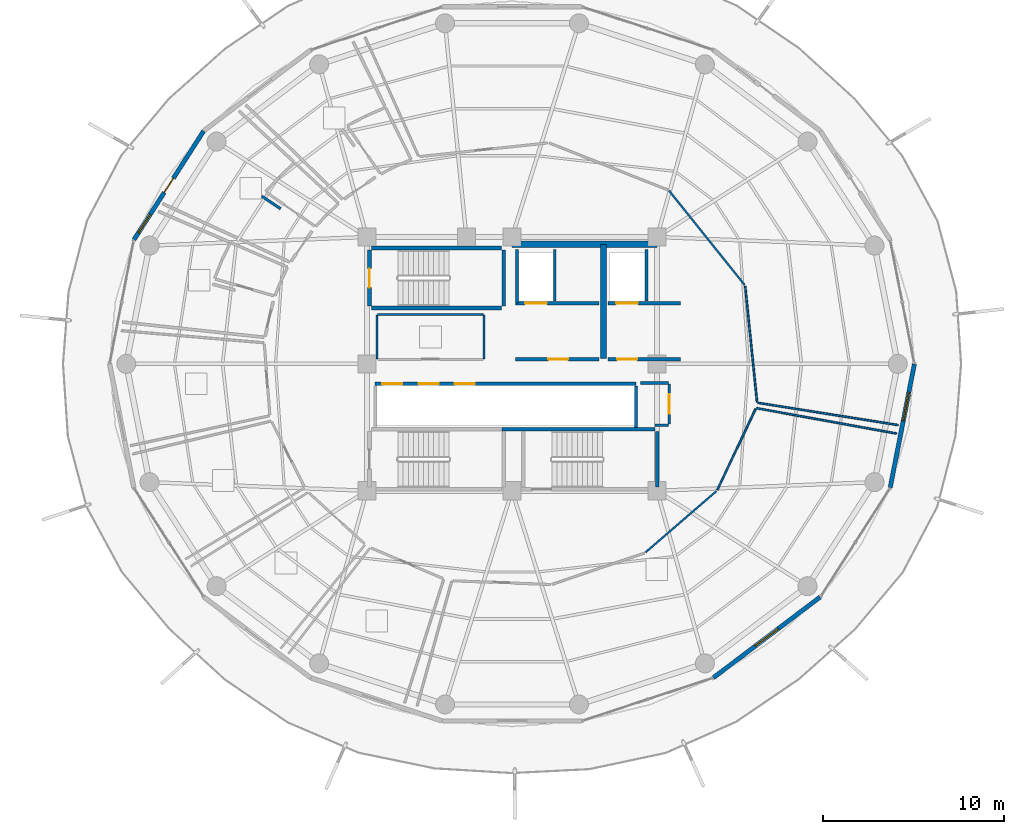
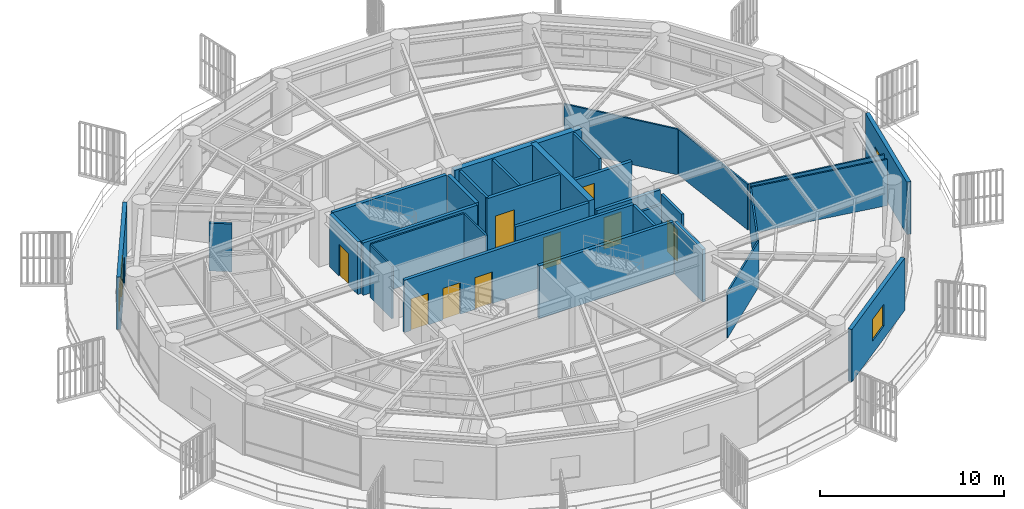
# One storey, part 25 of 31: 33 walls, 10 doors, 3 windows, 13 openings.
"""IFC4 building model written with IfcOpenShell, lengths in metres."""

from ifc_helpers import new_model, si_unit, direction, frame, frame_2d, origin, place, context, subcontext, project, spatial, rectangle, extrude, material, layer, layer_set, type_object, element, fill, save


model = new_model("IFC4")

# Units and contexts
model_context = context("Model", 3, precision=1e-05, world=origin(), true_north=direction((0.0, 1.0)))
body_context = subcontext(model_context, "Body", "Model", "MODEL_VIEW")
ifc_project = project(units=[si_unit("LENGTHUNIT", "METRE"), si_unit("AREAUNIT", "SQUARE_METRE"), si_unit("VOLUMEUNIT", "CUBIC_METRE"), si_unit("PLANEANGLEUNIT", "RADIAN"), si_unit("MASSUNIT", "GRAM", prefix="KILO")], contexts=[model_context])

# Site, building, storey
site_placement = place(None, origin())
site = spatial("IfcSite", under=ifc_project, at=site_placement, CompositionType="ELEMENT")
building_placement = place(site_placement, origin())
building = spatial("IfcBuilding", under=site, at=building_placement, Name="Kelanora Arch Commons", CompositionType="ELEMENT")
storey_placement = place(building_placement, frame((0.0, 0.0, 219.449951171875)))
storey = spatial("IfcBuildingStorey", under=building, at=storey_placement, Name="L56", CompositionType="ELEMENT", Elevation=219.449951171875)

# Walls
ifc_material_1 = material(Name="Autoclaved aerated concrete blockwork with fire plaster", Category="masonry")
ifc_layer_1 = layer(ifc_material_1, 0.14990234375)
ifc_layer_set_1 = layer_set([ifc_layer_1], Name="Autoclaved aerated concrete blockwork with fire plaster")
wall_type_1 = type_object("IfcWallType", Name="W-COMP-150", PredefinedType="PARTITIONING", material=ifc_layer_set_1)
wall_1_placement = place(storey_placement, frame((74.280029296875, 61.35009765625, 0.0), z_axis=(0.0, 0.0, 1.0), x_axis=(0.0, 1.0, 0.0)))
element("IfcWall", 1, at=wall_1_placement, inside=storey, type_object=wall_type_1, Name="Firefighting Lift 1 West Shaft Wall L56", PredefinedType="PARTITIONING", context=body_context, shape_type="SweptSolid", body=[
    extrude(rectangle(XDim=2.969970703125, YDim=0.14990234375, at=frame_2d((1.48486328125, 0.0))), origin(), (0.0, 0.0, 1.0), 3.47998046875),
])
for number, where, z_axis, x_axis, name in (
    (2, (76.360107421875, 61.47998046875, 0.0), (0.0, 0.0, 1.0), (0.0, 1.0, 0.0), "Firefighting Lift 1 East Shaft Wall L56"),
    (3, (81.419921875, 61.47998046875, 0.0), (0.0, 0.0, 1.0), (0.0, 1.0, 0.0), "Firefighting Lift 2 East Shaft Wall L56"),
):
    element("IfcWall", number, at=place(storey_placement, frame(where, z_axis=z_axis, x_axis=x_axis)), inside=storey, type_object=wall_type_1, Name=name, PredefinedType="PARTITIONING", context=body_context, shape_type="SweptSolid", body=[
        extrude(rectangle(XDim=2.840087890625, YDim=0.14990234375, at=frame_2d((1.419921875, 0.0))), origin(), (0.0, 0.0, 1.0), 3.47998046875),
    ])
wall_2_placement = place(storey_placement, frame((80.840087890625, 54.47998046875, 0.0), z_axis=(0.0, 0.0, 1.0), x_axis=(0.0, 1.0, 0.0)))
element("IfcWall", 4, at=wall_2_placement, inside=storey, type_object=wall_type_1, Name="South Lift Bank East Wall L56", PredefinedType="PARTITIONING", context=body_context, shape_type="SweptSolid", body=[
    extrude(rectangle(XDim=2.2900390625, YDim=0.14990234375, at=frame_2d((1.14501953125, 0.0))), origin(), (0.0, 0.0, 1.0), 3.47998046875),
])

# Wall, opening, door
wall_3_placement = place(storey_placement, frame((82.679931640625, 54.679931640625, 0.0), z_axis=(0.0, 0.0, 1.0), x_axis=(0.0, 1.0, 0.0)))
wall_3 = element("IfcWall", 5, at=wall_3_placement, inside=storey, type_object=wall_type_1, Name="Core Housekeeping Store L56 Entry Partition", PredefinedType="PARTITIONING", context=body_context, shape_type="SweptSolid", body=[
    extrude(rectangle(XDim=2.2099609375, YDim=0.14990234375, at=frame_2d((1.10498046875, 0.0))), origin(), (0.0, 0.0, 1.0), 3.47998046875),
])
opening_1_placement = place(wall_3_placement, frame((0.56494140625, 0.0, 0.0)))
opening_1 = element("IfcOpeningElement", 6, at=opening_1_placement, cuts=wall_3, Name="Opening D-PLT1", PredefinedType="OPENING", context=body_context, shape_type="SweptSolid", body=[
    extrude(rectangle(XDim=1.080078125, YDim=2.10009765625, at=frame_2d((0.5400390625, 1.050048828125))), frame((0.0, 0.0849609375, 0.0), z_axis=(0.0, -1.0, 0.0), x_axis=(1.0, 0.0, 0.0)), (0.0, 0.0, 1.0), 0.169921875),
])
ifc_material_2 = material(Name="Galvanised steel plant and riser fire door", Category="steel")
door_type_1 = type_object("IfcDoorType", Name="D-PLT-110", OperationType="NOTDEFINED", PredefinedType="DOOR", material=ifc_material_2)
door_1_placement = place(opening_1_placement, origin())
door_1 = element("IfcDoor", 7, at=door_1_placement, inside=storey, type_object=door_type_1, Name="Core Housekeeping Store L56 Door", OperationType="SINGLE_SWING_RIGHT", OverallHeight=2.10009765625, OverallWidth=1.080078125, PredefinedType="DOOR", context=body_context, shape_type="SweptSolid", body=[
    extrude(rectangle(XDim=1.080078125, YDim=2.10009765625, at=frame_2d((0.5400390625, 1.050048828125))), frame((0.0, 0.02490234375, 0.0), z_axis=(0.0, -1.0, 0.0), x_axis=(1.0, 0.0, 0.0)), (0.0, 0.0, 1.0), 0.050048828125),
])
fill(opening_1, door_1)

# Walls
wall_4_placement = place(storey_placement, frame((81.89990234375, 54.6201171875, 0.0), z_axis=(0.0, 0.0, 1.0), x_axis=(1.0, 0.0, 0.0)))
element("IfcWall", 8, at=wall_4_placement, inside=storey, type_object=wall_type_1, Name="Core Housekeeping Store L56 Enclosure Partition 1", PredefinedType="PARTITIONING", context=body_context, shape_type="SweptSolid", body=[
    extrude(rectangle(XDim=0.739990234375, YDim=0.14990234375, at=frame_2d((0.3701171875, 0.0))), origin(), (0.0, 0.0, 1.0), 2.775146484375),
])
wall_5_placement = place(storey_placement, frame((82.639892578125, 56.949951171875, 0.0), z_axis=(0.0, 0.0, 1.0), x_axis=(-1.0, 0.0, 0.0)))
element("IfcWall", 9, at=wall_5_placement, inside=storey, type_object=wall_type_1, Name="Core Housekeeping Store L56 Enclosure Partition 3", PredefinedType="PARTITIONING", context=body_context, shape_type="SweptSolid", body=[
    extrude(rectangle(XDim=1.5498046875, YDim=0.14990234375, at=frame_2d((0.77490234375, 0.0))), origin(), (0.0, 0.0, 1.0), 2.775146484375),
])
wall_6_placement = place(storey_placement, frame((60.1953125, 67.255615234375, 0.0), z_axis=(0.0, 0.0, 1.0), x_axis=(0.830279043522, -0.557347925347, 0.0)))
element("IfcWall", 10, at=wall_6_placement, inside=storey, type_object=wall_type_1, Name="Cluster Bedroom L56-02 Enclosure Partition 7", PredefinedType="PARTITIONING", context=body_context, shape_type="SweptSolid", body=[
    extrude(rectangle(XDim=1.254150390625, YDim=0.14990234375, at=frame_2d((0.626953125, 0.0))), origin(), (0.0, 0.0, 1.0), 3.175048828125),
])
ifc_material_3 = material(Name="Concrete C50/60", Category="concrete")
ifc_layer_2 = layer(ifc_material_3, 0.35009765625)
ifc_layer_set_2 = layer_set([ifc_layer_2], Name="Concrete C50/60")
wall_type_2 = type_object("IfcWallType", Name="W-CORE-350", PredefinedType="SHEAR", material=ifc_layer_set_2)
wall_7_placement = place(storey_placement, frame((74.0, 64.60009765625, 0.0), z_axis=(0.0, 0.0, 1.0), x_axis=(1.0, 0.0, 0.0)))
element("IfcWall", 11, at=wall_7_placement, inside=storey, type_object=wall_type_2, Name="Core Shear Spine L56-CN-E", PredefinedType="SHEAR", context=body_context, shape_type="SweptSolid", body=[
    extrude(rectangle(XDim=8.0, YDim=0.35009765625, at=frame_2d((4.0, 0.0))), origin(), (0.0, 0.0, 1.0), 3.489990234375),
])
wall_8_placement = place(storey_placement, frame((79.050048828125, 58.300048828125, 0.0), z_axis=(0.0, 0.0, 1.0), x_axis=(0.0, 1.0, 0.0)))
element("IfcWall", 12, at=wall_8_placement, inside=storey, type_object=wall_type_2, Name="Core Shear Spine L56-CE-N", PredefinedType="SHEAR", context=body_context, shape_type="SweptSolid", body=[
    extrude(rectangle(XDim=6.300048828125, YDim=0.35009765625, at=frame_2d((3.14990234375, 0.0))), origin(), (0.0, 0.0, 1.0), 3.489990234375),
])

# Wall, openings, door, window
ifc_material_4 = material(Name="Precast concrete C40/50 upper-zone terracotta rainscreen", Category="masonry")
ifc_layer_3 = layer(ifc_material_4, 0.239990234375)
ifc_layer_set_3 = layer_set([ifc_layer_3], Name="Precast concrete C40/50 upper-zone terracotta rainscreen")
wall_type_3 = type_object("IfcWallType", Name="W-EXT-TC2", PredefinedType="SOLIDWALL", material=ifc_layer_set_3)
wall_9_placement = place(storey_placement, frame((56.985595703125, 70.84326171875, 0.0), z_axis=(0.0, 0.0, 1.0), x_axis=(-0.539539512973, -0.841960280501, 0.0)))
wall_9 = element("IfcWall", 13, at=wall_9_placement, inside=storey, type_object=wall_type_3, Name="Terracotta Exterior Wall L56-B07", PredefinedType="SOLIDWALL", context=body_context, shape_type="SweptSolid", body=[
    extrude(rectangle(XDim=7.11474609375, YDim=0.239990234375, at=frame_2d((3.557373046875, 0.0))), origin(), (0.0, 0.0, 1.0), 3.47509765625),
])
opening_2_placement = place(wall_9_placement, frame((3.08203125, 0.0, 0.0)))
opening_2 = element("IfcOpeningElement", 14, at=opening_2_placement, cuts=wall_9, Name="Opening DB-01", PredefinedType="OPENING", context=body_context, shape_type="SweptSolid", body=[
    extrude(rectangle(XDim=0.949951171875, YDim=2.10009765625, at=frame_2d((0.47509765625, 1.050048828125))), frame((0.0, 0.1298828125, 0.0), z_axis=(0.0, -1.0, 0.0), x_axis=(1.0, 0.0, 0.0)), (0.0, 0.0, 1.0), 0.260009765625),
])
opening_3_placement = place(wall_9_placement, frame((5.4619140625, 0.0, 0.85009765625)))
opening_3 = element("IfcOpeningElement", 15, at=opening_3_placement, cuts=wall_9, Name="Opening WN-02", PredefinedType="OPENING", context=body_context, shape_type="SweptSolid", body=[
    extrude(rectangle(XDim=1.199951171875, YDim=1.449951171875, at=frame_2d((0.60009765625, 0.72509765625))), frame((0.0, 0.1298828125, 0.0), z_axis=(0.0, -1.0, 0.0), x_axis=(1.0, 0.0, 0.0)), (0.0, 0.0, 1.0), 0.260009765625),
])
ifc_material_5 = material(Name="Terracotta-aluminium thermally broken glazed balcony door", Category="masonry")
door_type_2 = type_object("IfcDoorType", Name="D-BAL-10", OperationType="NOTDEFINED", PredefinedType="DOOR", material=ifc_material_5)
door_2_placement = place(opening_2_placement, frame((0.949951171875, 0.0, 0.0), z_axis=(0.0, 0.0, 1.0), x_axis=(-1.0, 0.0, 0.0)))
door_2 = element("IfcDoor", 16, at=door_2_placement, inside=storey, type_object=door_type_2, Name="Wave Balcony Door L56-B07", OperationType="SINGLE_SWING_RIGHT", OverallHeight=2.10009765625, OverallWidth=0.949951171875, PredefinedType="DOOR", context=body_context, shape_type="SweptSolid", body=[
    extrude(rectangle(XDim=0.949951171875, YDim=2.10009765625, at=frame_2d((0.47509765625, 1.050048828125))), frame((0.0, 0.02490234375, 0.0), z_axis=(0.0, -1.0, 0.0), x_axis=(1.0, 0.0, 0.0)), (0.0, 0.0, 1.0), 0.050048828125),
])
fill(opening_2, door_2)
ifc_material_6 = material(Name="Terracotta-anodised aluminium frame with operable awning sash", Category="masonry")
window_type_1 = type_object("IfcWindowType", Name="WIN-CL-12", PartitioningType="SINGLE_PANEL", PredefinedType="WINDOW", material=ifc_material_6)
window_1_placement = place(opening_3_placement, origin())
window_1 = element("IfcWindow", 17, at=window_1_placement, inside=storey, type_object=window_type_1, Name="Co-Living Operable Window L56-B07", OverallHeight=1.449951171875, OverallWidth=1.199951171875, PartitioningType="SINGLE_PANEL", PredefinedType="WINDOW", context=body_context, shape_type="SweptSolid", body=[
    extrude(rectangle(XDim=1.199951171875, YDim=1.449951171875, at=frame_2d((0.60009765625, 0.72509765625))), frame((0.0, 0.030029296875, 0.0), z_axis=(0.0, -1.0, 0.0), x_axis=(1.0, 0.0, 0.0)), (0.0, 0.0, 1.0), 0.06005859375),
])
fill(opening_3, window_1)

# Wall, opening, window
wall_10_placement = place(storey_placement, frame((85.112060546875, 40.6884765625, 0.0), z_axis=(0.0, 0.0, 1.0), x_axis=(0.797701674595, 0.603052268338, 0.0)))
wall_10 = element("IfcWall", 18, at=wall_10_placement, inside=storey, type_object=wall_type_3, Name="Terracotta Exterior Wall L56-B15", PredefinedType="SOLIDWALL", context=body_context, shape_type="SweptSolid", body=[
    extrude(rectangle(XDim=7.373779296875, YDim=0.239990234375, at=frame_2d((3.68701171875, 0.0))), origin(), (0.0, 0.0, 1.0), 3.47509765625),
])
opening_4_placement = place(wall_10_placement, frame((2.886962890625, 0.0, 0.85009765625)))
opening_4 = element("IfcOpeningElement", 19, at=opening_4_placement, cuts=wall_10, Name="Opening WN-01", PredefinedType="OPENING", context=body_context, shape_type="SweptSolid", body=[
    extrude(rectangle(XDim=1.60009765625, YDim=1.449951171875, at=frame_2d((0.800048828125, 0.72509765625))), frame((0.0, 0.1298828125, 0.0), z_axis=(0.0, -1.0, 0.0), x_axis=(1.0, 0.0, 0.0)), (0.0, 0.0, 1.0), 0.260009765625),
])
ifc_material_7 = material(Name="Terracotta-anodised aluminium frame with operable low-E glazing", Category="masonry")
window_type_2 = type_object("IfcWindowType", Name="WIN-CL-18", PartitioningType="DOUBLE_PANEL_VERTICAL", PredefinedType="WINDOW", material=ifc_material_7)
window_2_placement = place(opening_4_placement, origin())
window_2 = element("IfcWindow", 20, at=window_2_placement, inside=storey, type_object=window_type_2, Name="Co-Living Operable Window L56-B15", OverallHeight=1.449951171875, OverallWidth=1.60009765625, PartitioningType="SINGLE_PANEL", PredefinedType="WINDOW", context=body_context, shape_type="SweptSolid", body=[
    extrude(rectangle(XDim=1.60009765625, YDim=1.449951171875, at=frame_2d((0.800048828125, 0.72509765625))), frame((0.0, 0.030029296875, 0.0), z_axis=(0.0, -1.0, 0.0), x_axis=(1.0, 0.0, 0.0)), (0.0, 0.0, 1.0), 0.06005859375),
])
fill(opening_4, window_2)

wall_11_placement = place(storey_placement, frame((94.864013671875, 51.17431640625, 0.0), z_axis=(0.0, 0.0, 1.0), x_axis=(0.192069055673, 0.981381413036, 0.0)))
wall_11 = element("IfcWall", 21, at=wall_11_placement, inside=storey, type_object=wall_type_3, Name="Terracotta Exterior Wall L56-B17", PredefinedType="SOLIDWALL", context=body_context, shape_type="SweptSolid", body=[
    extrude(rectangle(XDim=6.940185546875, YDim=0.239990234375, at=frame_2d((3.47021484375, 0.0))), origin(), (0.0, 0.0, 1.0), 3.47509765625),
])
opening_5_placement = place(wall_11_placement, frame((3.75, 0.0, 0.85009765625)))
opening_5 = element("IfcOpeningElement", 22, at=opening_5_placement, cuts=wall_11, Name="Opening WN-01", PredefinedType="OPENING", context=body_context, shape_type="SweptSolid", body=[
    extrude(rectangle(XDim=1.60009765625, YDim=1.449951171875, at=frame_2d((0.800048828125, 0.72509765625))), frame((0.0, 0.1298828125, 0.0), z_axis=(0.0, -1.0, 0.0), x_axis=(1.0, 0.0, 0.0)), (0.0, 0.0, 1.0), 0.260009765625),
])
window_3_placement = place(opening_5_placement, origin())
window_3 = element("IfcWindow", 23, at=window_3_placement, inside=storey, type_object=window_type_2, Name="Co-Living Operable Window L56-B17", OverallHeight=1.449951171875, OverallWidth=1.60009765625, PartitioningType="SINGLE_PANEL", PredefinedType="WINDOW", context=body_context, shape_type="SweptSolid", body=[
    extrude(rectangle(XDim=1.60009765625, YDim=1.449951171875, at=frame_2d((0.800048828125, 0.72509765625))), frame((0.0, 0.030029296875, 0.0), z_axis=(0.0, -1.0, 0.0), x_axis=(1.0, 0.0, 0.0)), (0.0, 0.0, 1.0), 0.06005859375),
])
fill(opening_5, window_3)

# Wall, opening, door
ifc_material_8 = material(Name="Concrete C40/50", Category="concrete")
ifc_layer_4 = layer(ifc_material_8, 0.199951171875)
ifc_layer_set_4 = layer_set([ifc_layer_4], Name="Concrete C40/50")
wall_type_4 = type_object("IfcWallType", Name="W-FFL-200", PredefinedType="SOLIDWALL", material=ifc_layer_set_4)
wall_12_placement = place(storey_placement, frame((74.199951171875, 61.35009765625, 0.0), z_axis=(0.0, 0.0, 1.0), x_axis=(1.0, 0.0, 0.0)))
wall_12 = element("IfcWall", 24, at=wall_12_placement, inside=storey, type_object=wall_type_4, Name="Firefighting Lift 1 Shaft Front L56", PredefinedType="SOLIDWALL", context=body_context, shape_type="SweptSolid", body=[
    extrude(rectangle(XDim=4.60009765625, YDim=0.199951171875, at=frame_2d((2.300048828125, 0.0))), origin(), (0.0, 0.0, 1.0), 3.47998046875),
])
opening_6_placement = place(wall_12_placement, frame((0.52001953125, 0.0, 0.0)))
opening_6 = element("IfcOpeningElement", 25, at=opening_6_placement, cuts=wall_12, Name="Opening LD-FF", PredefinedType="OPENING", context=body_context, shape_type="SweptSolid", body=[
    extrude(rectangle(XDim=1.199951171875, YDim=2.14990234375, at=frame_2d((0.60009765625, 1.074951171875))), frame((0.0, 0.10986328125, 0.0), z_axis=(0.0, -1.0, 0.0), x_axis=(1.0, 0.0, 0.0)), (0.0, 0.0, 1.0), 0.219970703125),
])
ifc_material_9 = material(Name="Fire-rated firefighters lift sliding landing door")
door_type_3 = type_object("IfcDoorType", Name="D-LIFT-FF", OperationType="NOTDEFINED", PredefinedType="DOOR", material=ifc_material_9)
door_3_placement = place(opening_6_placement, origin())
door_3 = element("IfcDoor", 26, at=door_3_placement, inside=storey, type_object=door_type_3, Name="Firefighting Lift LF-FF1 Landing Door L56", OperationType="DOUBLE_DOOR_SLIDING", OverallHeight=2.14990234375, OverallWidth=1.199951171875, PredefinedType="DOOR", context=body_context, shape_type="SweptSolid", body=[
    extrude(rectangle(XDim=1.199951171875, YDim=2.14990234375, at=frame_2d((0.60009765625, 1.074951171875))), frame((0.0, 0.02490234375, 0.0), z_axis=(0.0, -1.0, 0.0), x_axis=(1.0, 0.0, 0.0)), (0.0, 0.0, 1.0), 0.050048828125),
])
fill(opening_6, door_3)

wall_13_placement = place(storey_placement, frame((79.300048828125, 61.35009765625, 0.0), z_axis=(0.0, 0.0, 1.0), x_axis=(1.0, 0.0, 0.0)))
wall_13 = element("IfcWall", 27, at=wall_13_placement, inside=storey, type_object=wall_type_4, Name="Firefighting Lift 2 Shaft Front L56", PredefinedType="SOLIDWALL", context=body_context, shape_type="SweptSolid", body=[
    extrude(rectangle(XDim=4.0, YDim=0.199951171875, at=frame_2d((2.0, 0.0))), origin(), (0.0, 0.0, 1.0), 2.775146484375),
])
opening_7_placement = place(wall_13_placement, frame((0.449951171875, 0.0, 0.0)))
opening_7 = element("IfcOpeningElement", 28, at=opening_7_placement, cuts=wall_13, Name="Opening LD-FF", PredefinedType="OPENING", context=body_context, shape_type="SweptSolid", body=[
    extrude(rectangle(XDim=1.199951171875, YDim=2.14990234375, at=frame_2d((0.60009765625, 1.074951171875))), frame((0.0, 0.10986328125, 0.0), z_axis=(0.0, -1.0, 0.0), x_axis=(1.0, 0.0, 0.0)), (0.0, 0.0, 1.0), 0.219970703125),
])
door_4_placement = place(opening_7_placement, origin())
door_4 = element("IfcDoor", 29, at=door_4_placement, inside=storey, type_object=door_type_3, Name="Firefighting Lift LF-FF2 Landing Door L56", OperationType="DOUBLE_DOOR_SLIDING", OverallHeight=2.14990234375, OverallWidth=1.199951171875, PredefinedType="DOOR", context=body_context, shape_type="SweptSolid", body=[
    extrude(rectangle(XDim=1.199951171875, YDim=2.14990234375, at=frame_2d((0.60009765625, 1.074951171875))), frame((0.0, 0.02490234375, 0.0), z_axis=(0.0, -1.0, 0.0), x_axis=(1.0, 0.0, 0.0)), (0.0, 0.0, 1.0), 0.050048828125),
])
fill(opening_7, door_4)

wall_14_placement = place(storey_placement, frame((74.199951171875, 58.25, 0.0), z_axis=(0.0, 0.0, 1.0), x_axis=(1.0, 0.0, 0.0)))
wall_14 = element("IfcWall", 30, at=wall_14_placement, inside=storey, type_object=wall_type_4, Name="Firefighting Lobby 1 Enclosure Wall L56", PredefinedType="SOLIDWALL", context=body_context, shape_type="SweptSolid", body=[
    extrude(rectangle(XDim=4.60009765625, YDim=0.199951171875, at=frame_2d((2.300048828125, 0.0))), origin(), (0.0, 0.0, 1.0), 3.47998046875),
])
opening_8_placement = place(wall_14_placement, frame((1.800048828125, 0.0, 0.0)))
opening_8 = element("IfcOpeningElement", 31, at=opening_8_placement, cuts=wall_14, Name="Opening D-FFL1", PredefinedType="OPENING", context=body_context, shape_type="SweptSolid", body=[
    extrude(rectangle(XDim=1.10009765625, YDim=2.10009765625, at=frame_2d((0.550048828125, 1.050048828125))), frame((0.0, 0.10986328125, 0.0), z_axis=(0.0, -1.0, 0.0), x_axis=(1.0, 0.0, 0.0)), (0.0, 0.0, 1.0), 0.219970703125),
])
ifc_material_10 = material(Name="Smoke-sealed firefighting lobby fire door")
door_type_4 = type_object("IfcDoorType", Name="D-FFL-110", OperationType="NOTDEFINED", PredefinedType="DOOR", material=ifc_material_10)
door_5_placement = place(opening_8_placement, frame((1.10009765625, 0.0, 0.0), z_axis=(0.0, 0.0, 1.0), x_axis=(-1.0, 0.0, 0.0)))
door_5 = element("IfcDoor", 32, at=door_5_placement, inside=storey, type_object=door_type_4, Name="Firefighting Lobby 1 Door L56", OperationType="SINGLE_SWING_LEFT", OverallHeight=2.10009765625, OverallWidth=1.10009765625, PredefinedType="DOOR", context=body_context, shape_type="SweptSolid", body=[
    extrude(rectangle(XDim=1.10009765625, YDim=2.10009765625, at=frame_2d((0.550048828125, 1.050048828125))), frame((0.0, 0.02490234375, 0.0), z_axis=(0.0, -1.0, 0.0), x_axis=(1.0, 0.0, 0.0)), (0.0, 0.0, 1.0), 0.050048828125),
])
fill(opening_8, door_5)

wall_15_placement = place(storey_placement, frame((79.300048828125, 58.25, 0.0), z_axis=(0.0, 0.0, 1.0), x_axis=(1.0, 0.0, 0.0)))
wall_15 = element("IfcWall", 33, at=wall_15_placement, inside=storey, type_object=wall_type_4, Name="Firefighting Lobby 2 Enclosure Wall L56", PredefinedType="SOLIDWALL", context=body_context, shape_type="SweptSolid", body=[
    extrude(rectangle(XDim=4.0, YDim=0.199951171875, at=frame_2d((2.0, 0.0))), origin(), (0.0, 0.0, 1.0), 2.775146484375),
])
opening_9_placement = place(wall_15_placement, frame((0.5, 0.0, 0.0)))
opening_9 = element("IfcOpeningElement", 34, at=opening_9_placement, cuts=wall_15, Name="Opening D-FFL1", PredefinedType="OPENING", context=body_context, shape_type="SweptSolid", body=[
    extrude(rectangle(XDim=1.10009765625, YDim=2.10009765625, at=frame_2d((0.550048828125, 1.050048828125))), frame((0.0, 0.10986328125, 0.0), z_axis=(0.0, -1.0, 0.0), x_axis=(1.0, 0.0, 0.0)), (0.0, 0.0, 1.0), 0.219970703125),
])
door_6_placement = place(opening_9_placement, frame((1.10009765625, 0.0, 0.0), z_axis=(0.0, 0.0, 1.0), x_axis=(-1.0, 0.0, 0.0)))
door_6 = element("IfcDoor", 35, at=door_6_placement, inside=storey, type_object=door_type_4, Name="Firefighting Lobby 2 Door L56", OperationType="SINGLE_SWING_RIGHT", OverallHeight=2.10009765625, OverallWidth=1.10009765625, PredefinedType="DOOR", context=body_context, shape_type="SweptSolid", body=[
    extrude(rectangle(XDim=1.10009765625, YDim=2.10009765625, at=frame_2d((0.550048828125, 1.050048828125))), frame((0.0, 0.02490234375, 0.0), z_axis=(0.0, -1.0, 0.0), x_axis=(1.0, 0.0, 0.0)), (0.0, 0.0, 1.0), 0.050048828125),
])
fill(opening_9, door_6)

# Wall, openings, doors
wall_16_placement = place(storey_placement, frame((66.449951171875, 56.89990234375, 0.0), z_axis=(0.0, 0.0, 1.0), x_axis=(1.0, 0.0, 0.0)))
wall_16 = element("IfcWall", 36, at=wall_16_placement, inside=storey, type_object=wall_type_4, Name="Mid/High/Express Lift Shaft Front L56", PredefinedType="SOLIDWALL", context=body_context, shape_type="SweptSolid", body=[
    extrude(rectangle(XDim=14.400146484375, YDim=0.199951171875, at=frame_2d((7.2001953125, 0.0))), origin(), (0.0, 0.0, 1.0), 3.47998046875),
])
opening_10_placement = place(wall_16_placement, frame((0.39990234375, 0.0, 0.0)))
opening_10 = element("IfcOpeningElement", 37, at=opening_10_placement, cuts=wall_16, Name="Opening LD-01", PredefinedType="OPENING", context=body_context, shape_type="SweptSolid", body=[
    extrude(rectangle(XDim=1.10009765625, YDim=2.10009765625, at=frame_2d((0.550048828125, 1.050048828125))), frame((0.0, 0.10986328125, 0.0), z_axis=(0.0, -1.0, 0.0), x_axis=(1.0, 0.0, 0.0)), (0.0, 0.0, 1.0), 0.219970703125),
])
opening_11_placement = place(wall_16_placement, frame((2.39990234375, 0.0, 0.0)))
opening_11 = element("IfcOpeningElement", 38, at=opening_11_placement, cuts=wall_16, Name="Opening LD-01", PredefinedType="OPENING", context=body_context, shape_type="SweptSolid", body=[
    extrude(rectangle(XDim=1.10009765625, YDim=2.10009765625, at=frame_2d((0.550048828125, 1.050048828125))), frame((0.0, 0.10986328125, 0.0), z_axis=(0.0, -1.0, 0.0), x_axis=(1.0, 0.0, 0.0)), (0.0, 0.0, 1.0), 0.219970703125),
])
opening_12_placement = place(wall_16_placement, frame((4.39990234375, 0.0, 0.0)))
opening_12 = element("IfcOpeningElement", 39, at=opening_12_placement, cuts=wall_16, Name="Opening LD-01", PredefinedType="OPENING", context=body_context, shape_type="SweptSolid", body=[
    extrude(rectangle(XDim=1.10009765625, YDim=2.10009765625, at=frame_2d((0.550048828125, 1.050048828125))), frame((0.0, 0.10986328125, 0.0), z_axis=(0.0, -1.0, 0.0), x_axis=(1.0, 0.0, 0.0)), (0.0, 0.0, 1.0), 0.219970703125),
])
ifc_material_11 = material(Name="Stainless steel passenger lift sliding landing door", Category="steel")
door_type_5 = type_object("IfcDoorType", Name="D-LIFT-110", OperationType="NOTDEFINED", PredefinedType="DOOR", material=ifc_material_11)
door_7_placement = place(opening_10_placement, origin())
door_7 = element("IfcDoor", 40, at=door_7_placement, inside=storey, type_object=door_type_5, Name="Passenger Lift LF-P4 Landing Door L56", OperationType="DOUBLE_DOOR_SLIDING", OverallHeight=2.10009765625, OverallWidth=1.10009765625, PredefinedType="DOOR", context=body_context, shape_type="SweptSolid", body=[
    extrude(rectangle(XDim=1.10009765625, YDim=2.10009765625, at=frame_2d((0.550048828125, 1.050048828125))), frame((0.0, 0.02490234375, 0.0), z_axis=(0.0, -1.0, 0.0), x_axis=(1.0, 0.0, 0.0)), (0.0, 0.0, 1.0), 0.050048828125),
])
fill(opening_10, door_7)
door_8_placement = place(opening_11_placement, origin())
door_8 = element("IfcDoor", 41, at=door_8_placement, inside=storey, type_object=door_type_5, Name="Passenger Lift LF-P5 Landing Door L56", OperationType="DOUBLE_DOOR_SLIDING", OverallHeight=2.10009765625, OverallWidth=1.10009765625, PredefinedType="DOOR", context=body_context, shape_type="SweptSolid", body=[
    extrude(rectangle(XDim=1.10009765625, YDim=2.10009765625, at=frame_2d((0.550048828125, 1.050048828125))), frame((0.0, 0.02490234375, 0.0), z_axis=(0.0, -1.0, 0.0), x_axis=(1.0, 0.0, 0.0)), (0.0, 0.0, 1.0), 0.050048828125),
])
fill(opening_11, door_8)
door_9_placement = place(opening_12_placement, origin())
door_9 = element("IfcDoor", 42, at=door_9_placement, inside=storey, type_object=door_type_5, Name="Passenger Lift LF-P6 Landing Door L56", OperationType="DOUBLE_DOOR_SLIDING", OverallHeight=2.10009765625, OverallWidth=1.10009765625, PredefinedType="DOOR", context=body_context, shape_type="SweptSolid", body=[
    extrude(rectangle(XDim=1.10009765625, YDim=2.10009765625, at=frame_2d((0.550048828125, 1.050048828125))), frame((0.0, 0.02490234375, 0.0), z_axis=(0.0, -1.0, 0.0), x_axis=(1.0, 0.0, 0.0)), (0.0, 0.0, 1.0), 0.050048828125),
])
fill(opening_12, door_9)

# Walls
ifc_material_12 = material(Name="Lightweight fire-rated acoustic stud partition")
ifc_layer_5 = layer(ifc_material_12, 0.10009765625)
ifc_layer_set_5 = layer_set([ifc_layer_5], Name="Lightweight fire-rated acoustic stud partition")
wall_type_5 = type_object("IfcWallType", Name="W-PART-100", PredefinedType="PARTITIONING", material=ifc_layer_set_5)
wall_17_placement = place(storey_placement, frame((72.449951171875, 58.2900390625, 0.0), z_axis=(0.0, 0.0, 1.0), x_axis=(0.0, 1.0, 0.0)))
element("IfcWall", 43, at=wall_17_placement, inside=storey, type_object=wall_type_5, Name="Reclaimed Core Study Pod Lounge L56 Enclosure Partition 2", PredefinedType="PARTITIONING", context=body_context, shape_type="SweptSolid", body=[
    extrude(rectangle(XDim=2.389892578125, YDim=0.10009765625, at=frame_2d((1.19482421875, 0.0))), origin(), (0.0, 0.0, 1.0), 3.47998046875),
])
wall_18_placement = place(storey_placement, frame((72.409912109375, 60.719970703125, 0.0), z_axis=(0.0, 0.0, 1.0), x_axis=(-1.0, 0.0, 0.0)))
element("IfcWall", 44, at=wall_18_placement, inside=storey, type_object=wall_type_5, Name="Reclaimed Core Study Pod Lounge L56 Enclosure Partition 3", PredefinedType="PARTITIONING", context=body_context, shape_type="SweptSolid", body=[
    extrude(rectangle(XDim=5.81982421875, YDim=0.10009765625, at=frame_2d((2.909912109375, 0.0))), origin(), (0.0, 0.0, 1.0), 3.47998046875),
])
wall_19_placement = place(storey_placement, frame((66.550048828125, 60.679931640625, 0.0), z_axis=(0.0, 0.0, 1.0), x_axis=(0.0, -1.0, 0.0)))
element("IfcWall", 45, at=wall_19_placement, inside=storey, type_object=wall_type_5, Name="Reclaimed Core Study Pod Lounge L56 Enclosure Partition 4", PredefinedType="PARTITIONING", context=body_context, shape_type="SweptSolid", body=[
    extrude(rectangle(XDim=2.389892578125, YDim=0.10009765625, at=frame_2d((1.19482421875, 0.0))), origin(), (0.0, 0.0, 1.0), 3.47998046875),
])
wall_20_placement = place(storey_placement, frame((81.3671875, 47.60400390625, 0.0), z_axis=(0.0, 0.0, 1.0), x_axis=(0.756843194568, 0.653596495428, 0.0)))
element("IfcWall", 46, at=wall_20_placement, inside=storey, type_object=wall_type_5, Name="South-East Social Sky Lounge L56 Enclosure Partition 3", PredefinedType="PARTITIONING", context=body_context, shape_type="SweptSolid", body=[
    extrude(rectangle(XDim=5.166748046875, YDim=0.10009765625, at=frame_2d((2.58349609375, 0.0))), origin(), (0.0, 0.0, 1.0), 3.025146484375),
])
wall_21_placement = place(storey_placement, frame((85.3251953125, 51.043212890625, 0.0), z_axis=(0.0, 0.0, 1.0), x_axis=(0.426911240237, 0.904293532521, 0.0)))
element("IfcWall", 47, at=wall_21_placement, inside=storey, type_object=wall_type_5, Name="South-East Social Sky Lounge L56 Enclosure Partition 4", PredefinedType="PARTITIONING", context=body_context, shape_type="SweptSolid", body=[
    extrude(rectangle(XDim=4.958251953125, YDim=0.10009765625, at=frame_2d((2.47900390625, 0.0))), origin(), (0.0, 0.0, 1.0), 3.025146484375),
])
wall_22_placement = place(storey_placement, frame((87.498291015625, 55.555908203125, 0.0), z_axis=(0.0, 0.0, 1.0), x_axis=(0.983952512008, -0.178430530217, 0.0)))
element("IfcWall", 48, at=wall_22_placement, inside=storey, type_object=wall_type_5, Name="South-East Social Sky Lounge L56 Enclosure Partition 5", PredefinedType="PARTITIONING", context=body_context, shape_type="SweptSolid", body=[
    extrude(rectangle(XDim=7.840087890625, YDim=0.10009765625, at=frame_2d((3.919921875, 0.0))), origin(), (0.0, 0.0, 1.0), 3.074951171875),
])
wall_23_placement = place(storey_placement, frame((87.516845703125, 55.898681640625, 0.0), z_axis=(0.0, 0.0, 1.0), x_axis=(-0.101648252044, 0.994820402312, 0.0)))
element("IfcWall", 49, at=wall_23_placement, inside=storey, type_object=wall_type_5, Name="North-East Quiet Study Commons L56 Enclosure Partition 1", PredefinedType="PARTITIONING", context=body_context, shape_type="SweptSolid", body=[
    extrude(rectangle(XDim=6.412841796875, YDim=0.10009765625, at=frame_2d((3.20654296875, 0.0))), origin(), (0.0, 0.0, 1.0), 3.025146484375),
])
wall_24_placement = place(storey_placement, frame((86.8359375, 62.34912109375, 0.0), z_axis=(0.0, 0.0, 1.0), x_axis=(-0.625480735322, 0.780239610467, 0.0)))
element("IfcWall", 50, at=wall_24_placement, inside=storey, type_object=wall_type_5, Name="North-East Quiet Study Commons L56 Enclosure Partition 2", PredefinedType="PARTITIONING", context=body_context, shape_type="SweptSolid", body=[
    extrude(rectangle(XDim=6.666748046875, YDim=0.10009765625, at=frame_2d((3.33349609375, 0.0))), origin(), (0.0, 0.0, 1.0), 3.025146484375),
])
wall_25_placement = place(storey_placement, frame((95.3115234375, 54.623291015625, 0.0), z_axis=(0.0, 0.0, 1.0), x_axis=(-0.987651731417, 0.156665431505, 0.0)))
element("IfcWall", 51, at=wall_25_placement, inside=storey, type_object=wall_type_5, Name="North-East Quiet Study Commons L56 Enclosure Partition 10", PredefinedType="PARTITIONING", context=body_context, shape_type="SweptSolid", body=[
    extrude(rectangle(XDim=7.847900390625, YDim=0.10009765625, at=frame_2d((3.923828125, 0.0))), origin(), (0.0, 0.0, 1.0), 3.074951171875),
])
ifc_layer_6 = layer(ifc_material_8, 0.199951171875)
ifc_layer_set_6 = layer_set([ifc_layer_6], Name="Concrete C40/50")
wall_type_6 = type_object("IfcWallType", Name="W-STAIR-200", PredefinedType="SHEAR", material=ifc_layer_set_6)
wall_26_placement = place(storey_placement, frame((66.260009765625, 61.080078125, 0.0), z_axis=(0.0, 0.0, 1.0), x_axis=(1.0, 0.0, 0.0)))
element("IfcWall", 52, at=wall_26_placement, inside=storey, type_object=wall_type_6, Name="Stair ST-T1 Shaft Wall S L56", PredefinedType="SHEAR", context=body_context, shape_type="SweptSolid", body=[
    extrude(rectangle(XDim=7.159912109375, YDim=0.199951171875, at=frame_2d((3.580078125, 0.0))), origin(), (0.0, 0.0, 1.0), 3.489990234375),
])
wall_27_placement = place(storey_placement, frame((73.5400390625, 61.199951171875, 0.0), z_axis=(0.0, 0.0, 1.0), x_axis=(0.0, 1.0, 0.0)))
element("IfcWall", 53, at=wall_27_placement, inside=storey, type_object=wall_type_6, Name="Stair ST-T1 Shaft Wall E L56", PredefinedType="SHEAR", context=body_context, shape_type="SweptSolid", body=[
    extrude(rectangle(XDim=3.070068359375, YDim=0.199951171875, at=frame_2d((1.53515625, 0.0))), origin(), (0.0, 0.0, 1.0), 3.489990234375),
])
wall_28_placement = place(storey_placement, frame((73.419921875, 64.389892578125, 0.0), z_axis=(0.0, 0.0, 1.0), x_axis=(-1.0, 0.0, 0.0)))
element("IfcWall", 54, at=wall_28_placement, inside=storey, type_object=wall_type_6, Name="Stair ST-T1 Shaft Wall N L56", PredefinedType="SHEAR", context=body_context, shape_type="SweptSolid", body=[
    extrude(rectangle(XDim=7.159912109375, YDim=0.199951171875, at=frame_2d((3.580078125, 0.0))), origin(), (0.0, 0.0, 1.0), 3.489990234375),
])

# Wall, opening, door
wall_29_placement = place(storey_placement, frame((66.139892578125, 64.27001953125, 0.0), z_axis=(0.0, 0.0, 1.0), x_axis=(0.0, -1.0, 0.0)))
wall_29 = element("IfcWall", 55, at=wall_29_placement, inside=storey, type_object=wall_type_6, Name="Stair ST-T1 Shaft Wall W L56", PredefinedType="SHEAR", context=body_context, shape_type="SweptSolid", body=[
    extrude(rectangle(XDim=3.070068359375, YDim=0.199951171875, at=frame_2d((1.53515625, 0.0))), origin(), (0.0, 0.0, 1.0), 3.489990234375),
])
opening_13_placement = place(wall_29_placement, frame((1.010009765625, 0.0, 0.0)))
opening_13 = element("IfcOpeningElement", 56, at=opening_13_placement, cuts=wall_29, Name="Opening D-ST1", PredefinedType="OPENING", context=body_context, shape_type="SweptSolid", body=[
    extrude(rectangle(XDim=1.050048828125, YDim=2.10009765625, at=frame_2d((0.52490234375, 1.050048828125))), frame((0.0, 0.10986328125, 0.0), z_axis=(0.0, -1.0, 0.0), x_axis=(1.0, 0.0, 0.0)), (0.0, 0.0, 1.0), 0.219970703125),
])
ifc_material_13 = material(Name="Steel fire-rated stairwell escape door", Category="steel")
door_type_6 = type_object("IfcDoorType", Name="D-STAIR-110", OperationType="NOTDEFINED", PredefinedType="DOOR", material=ifc_material_13)
door_10_placement = place(opening_13_placement, origin())
door_10 = element("IfcDoor", 57, at=door_10_placement, inside=storey, type_object=door_type_6, Name="Stair ST-T1 Escape Door L56", OperationType="SINGLE_SWING_LEFT", OverallHeight=2.10009765625, OverallWidth=1.050048828125, PredefinedType="DOOR", context=body_context, shape_type="SweptSolid", body=[
    extrude(rectangle(XDim=1.050048828125, YDim=2.10009765625, at=frame_2d((0.52490234375, 1.050048828125))), frame((0.0, 0.02490234375, 0.0), z_axis=(0.0, -1.0, 0.0), x_axis=(1.0, 0.0, 0.0)), (0.0, 0.0, 1.0), 0.050048828125),
])
fill(opening_13, door_10)

# Walls
wall_30_placement = place(storey_placement, frame((82.02001953125, 51.199951171875, 0.0), z_axis=(0.0, 0.0, 1.0), x_axis=(0.0, 1.0, 0.0)))
element("IfcWall", 58, at=wall_30_placement, inside=storey, type_object=wall_type_6, Name="Stair ST-T2 Shaft Wall E L56", PredefinedType="SHEAR", context=body_context, shape_type="SweptSolid", body=[
    extrude(rectangle(XDim=3.070068359375, YDim=0.199951171875, at=frame_2d((1.53515625, 0.0))), origin(), (0.0, 0.0, 1.0), 3.489990234375),
])
wall_31_placement = place(storey_placement, frame((81.89990234375, 54.389892578125, 0.0), z_axis=(0.0, 0.0, 1.0), x_axis=(-1.0, 0.0, 0.0)))
element("IfcWall", 59, at=wall_31_placement, inside=storey, type_object=wall_type_6, Name="Stair ST-T2 Shaft Wall N L56", PredefinedType="SHEAR", context=body_context, shape_type="SweptSolid", body=[
    extrude(rectangle(XDim=8.4599609375, YDim=0.199951171875, at=frame_2d((4.22998046875, 0.0))), origin(), (0.0, 0.0, 1.0), 3.489990234375),
])

save(model, "model.ifc")
